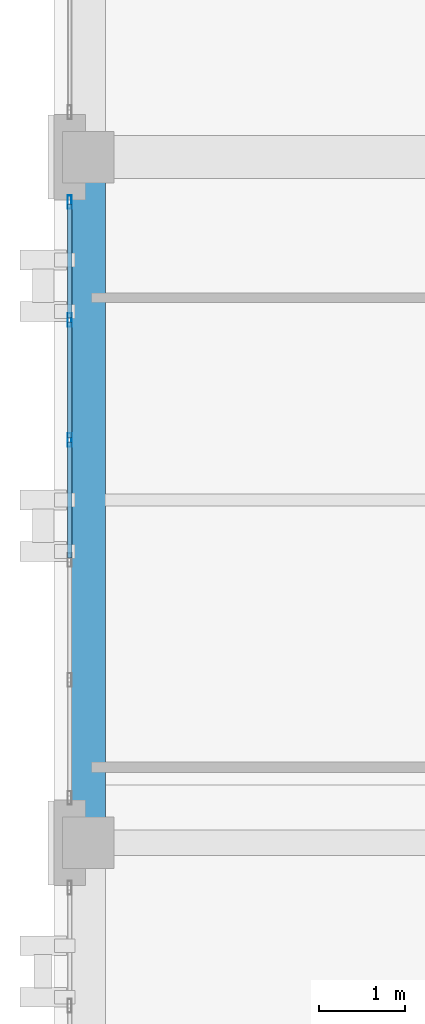
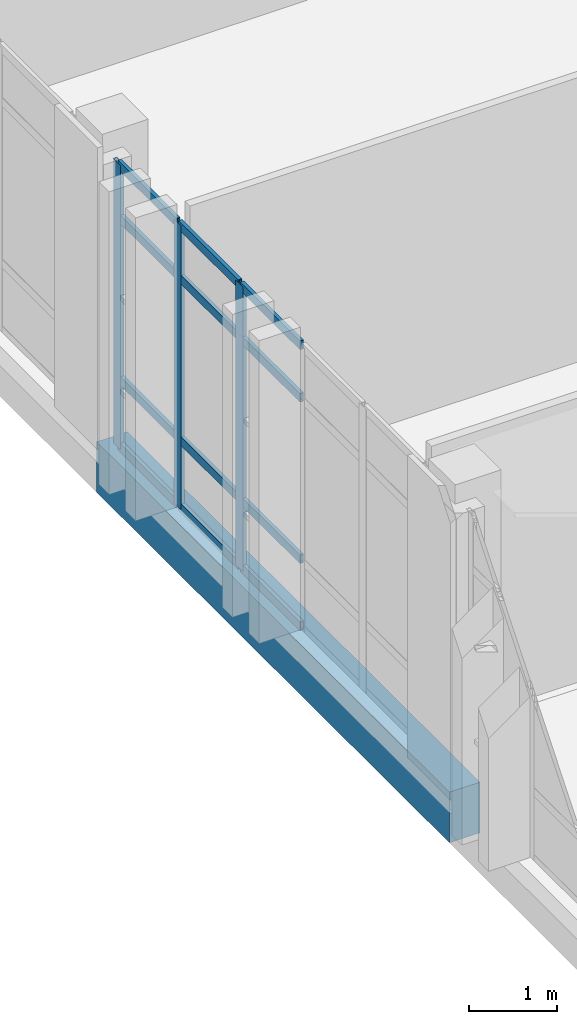
# One storey, part 13 of 77: 15 members, 1 beam, 1 element without a shape of its own.
"""IFC4 building model written with IfcOpenShell, lengths in metres."""

from ifc_helpers import new_model, si_unit, direction, frame, origin, origin_2d, place, context, subcontext, project, spatial, rectangle, hollow_rectangle, extrude, material, layer, layer_set, material_profile, profile_set, type_object, element, aggregate, save


model = new_model("IFC4")

# Units and contexts
model_context = context("Model", 3, precision=1e-05, world=origin(), true_north=direction((0.0, 1.0)))
body_context = subcontext(model_context, "Body", "Model", "MODEL_VIEW")
ifc_project = project(units=[si_unit("LENGTHUNIT", "METRE"), si_unit("AREAUNIT", "SQUARE_METRE"), si_unit("VOLUMEUNIT", "CUBIC_METRE"), si_unit("PLANEANGLEUNIT", "RADIAN"), si_unit("MASSUNIT", "GRAM", prefix="KILO")], contexts=[model_context])

# Site, building, storey
site_placement = place(None, origin())
site = spatial("IfcSite", under=ifc_project, at=site_placement, CompositionType="ELEMENT")
building_placement = place(site_placement, origin())
building = spatial("IfcBuilding", under=site, at=building_placement, Name="Qalavern Law Courts", CompositionType="ELEMENT")
storey_placement = place(building_placement, frame((0.0, 0.0, 27.0)))
storey = spatial("IfcBuildingStorey", under=building, at=storey_placement, Name="L06", CompositionType="ELEMENT", Elevation=27.0)

# Curtain wall, members
ifc_material_1 = material(Name="Anodised aluminium and insulated glazing", Category="aluminium")
ifc_layer = layer(ifc_material_1, 0.159912109375)
ifc_layer_set = layer_set([ifc_layer], Name="Anodised aluminium and insulated glazing")
curtain_wall_type = type_object("IfcCurtainWallType", Name="ENV-CW-CHAMB", PredefinedType="USERDEFINED", material=ifc_layer_set)
curtain_wall_placement = place(storey_placement, origin())
curtain_wall = element("IfcCurtainWall", 1, at=curtain_wall_placement, inside=storey, type_object=curtain_wall_type, Name="V3 unitised curtain wall L06 west 2", ObjectType="UNITISED CURTAIN WALL", PredefinedType="USERDEFINED")
ifc_material_2 = material(Name="Anodised aluminium", Category="aluminium")
ifc_material_profile_1 = material_profile(ifc_material_2, hollow_rectangle(XDim=0.048095703125, YDim=0.159912109375, WallThickness=0.00390625, at=origin_2d()), Name="ALU MULLION 48x160")
ifc_profile_set_1 = profile_set([ifc_material_profile_1], Name="Anodised aluminium")
member_type_1 = type_object("IfcMemberType", Name="ENV-CWM-48x160", PredefinedType="MULLION", material=ifc_profile_set_1)
member_1_placement = place(storey_placement, frame((2.18505859375, 72.8759765625, 0.0), z_axis=(0.0, 0.0, 1.0), x_axis=(1.0, 0.0, 0.0)))
member_1 = element("IfcMember", 2, at=member_1_placement, type_object=member_type_1, Name="CW-04 mullion 1", PredefinedType="MULLION", context=body_context, shape_type="SweptSolid", body=[
    extrude(hollow_rectangle(XDim=0.048095703125, YDim=0.159912109375, WallThickness=0.00390625, at=origin_2d()), origin(), (0.0, 0.0, 1.0), 3.93505859375),
])
member_2_placement = place(storey_placement, frame((2.18505859375, 71.5, 0.0), z_axis=(0.0, 0.0, 1.0), x_axis=(1.0, 0.0, 0.0)))
member_2 = element("IfcMember", 3, at=member_2_placement, type_object=member_type_1, Name="CW-04 mullion 2", PredefinedType="MULLION", context=body_context, shape_type="SweptSolid", body=[
    extrude(hollow_rectangle(XDim=0.048095703125, YDim=0.159912109375, WallThickness=0.00390625, at=origin_2d()), origin(), (0.0, 0.0, 1.0), 3.93505859375),
])
member_3_placement = place(storey_placement, frame((2.18505859375, 70.10009765625, 0.0), z_axis=(0.0, 0.0, 1.0), x_axis=(1.0, 0.0, 0.0)))
member_3 = element("IfcMember", 4, at=member_3_placement, type_object=member_type_1, Name="CW-04 mullion 3", PredefinedType="MULLION", context=body_context, shape_type="SweptSolid", body=[
    extrude(hollow_rectangle(XDim=0.048095703125, YDim=0.159912109375, WallThickness=0.00390625, at=origin_2d()), origin(), (0.0, 0.0, 1.0), 3.93505859375),
])
ifc_material_profile_2 = material_profile(ifc_material_2, hollow_rectangle(XDim=0.048095703125, YDim=0.1201171875, WallThickness=0.00390625, at=origin_2d()), Name="ALU TRANSOM 48x120")
ifc_profile_set_2 = profile_set([ifc_material_profile_2], Name="Anodised aluminium")
member_type_2 = type_object("IfcMemberType", Name="ENV-CWT-48x120", PredefinedType="USERDEFINED", material=ifc_profile_set_2)
member_4_placement = place(storey_placement, frame((2.18505859375, 72.85205078125, 0.02392578125), z_axis=(0.0, -1.0, 0.0), x_axis=(1.0, 0.0, 0.0)))
member_4 = element("IfcMember", 5, at=member_4_placement, type_object=member_type_2, Name="CW-04 transom 1.1", ObjectType="TRANSOM", PredefinedType="USERDEFINED", context=body_context, shape_type="SweptSolid", body=[
    extrude(hollow_rectangle(XDim=0.048095703125, YDim=0.1201171875, WallThickness=0.00390625, at=origin_2d()), origin(), (0.0, 0.0, 1.0), 1.328125),
])
member_5_placement = place(storey_placement, frame((2.18505859375, 72.85205078125, 0.949951171875), z_axis=(0.0, -1.0, 0.0), x_axis=(1.0, 0.0, 0.0)))
member_5 = element("IfcMember", 6, at=member_5_placement, type_object=member_type_2, Name="CW-04 transom 1.2", ObjectType="TRANSOM", PredefinedType="USERDEFINED", context=body_context, shape_type="SweptSolid", body=[
    extrude(hollow_rectangle(XDim=0.048095703125, YDim=0.1201171875, WallThickness=0.00390625, at=origin_2d()), origin(), (0.0, 0.0, 1.0), 1.328125),
])
member_6_placement = place(storey_placement, frame((2.18505859375, 72.85205078125, 3.18505859375), z_axis=(0.0, -1.0, 0.0), x_axis=(1.0, 0.0, 0.0)))
member_6 = element("IfcMember", 7, at=member_6_placement, type_object=member_type_2, Name="CW-04 transom 1.3", ObjectType="TRANSOM", PredefinedType="USERDEFINED", context=body_context, shape_type="SweptSolid", body=[
    extrude(hollow_rectangle(XDim=0.048095703125, YDim=0.1201171875, WallThickness=0.00390625, at=origin_2d()), origin(), (0.0, 0.0, 1.0), 1.328125),
])
member_7_placement = place(storey_placement, frame((2.18505859375, 72.85205078125, 3.910888671875), z_axis=(0.0, -1.0, 0.0), x_axis=(1.0, 0.0, 0.0)))
member_7 = element("IfcMember", 8, at=member_7_placement, type_object=member_type_2, Name="CW-04 transom 1.4", ObjectType="TRANSOM", PredefinedType="USERDEFINED", context=body_context, shape_type="SweptSolid", body=[
    extrude(hollow_rectangle(XDim=0.048095703125, YDim=0.1201171875, WallThickness=0.00390625, at=origin_2d()), origin(), (0.0, 0.0, 1.0), 1.328125),
])
member_8_placement = place(storey_placement, frame((2.18505859375, 71.47607421875, 0.02392578125), z_axis=(0.0, -1.0, 0.0), x_axis=(1.0, 0.0, 0.0)))
member_8 = element("IfcMember", 9, at=member_8_placement, type_object=member_type_2, Name="CW-04 transom 2.1", ObjectType="TRANSOM", PredefinedType="USERDEFINED", context=body_context, shape_type="SweptSolid", body=[
    extrude(hollow_rectangle(XDim=0.048095703125, YDim=0.1201171875, WallThickness=0.00390625, at=origin_2d()), origin(), (0.0, 0.0, 1.0), 1.35205078125),
])
member_9_placement = place(storey_placement, frame((2.18505859375, 71.47607421875, 0.949951171875), z_axis=(0.0, -1.0, 0.0), x_axis=(1.0, 0.0, 0.0)))
member_9 = element("IfcMember", 10, at=member_9_placement, type_object=member_type_2, Name="CW-04 transom 2.2", ObjectType="TRANSOM", PredefinedType="USERDEFINED", context=body_context, shape_type="SweptSolid", body=[
    extrude(hollow_rectangle(XDim=0.048095703125, YDim=0.1201171875, WallThickness=0.00390625, at=origin_2d()), origin(), (0.0, 0.0, 1.0), 1.35205078125),
])
member_10_placement = place(storey_placement, frame((2.18505859375, 71.47607421875, 3.18505859375), z_axis=(0.0, -1.0, 0.0), x_axis=(1.0, 0.0, 0.0)))
member_10 = element("IfcMember", 11, at=member_10_placement, type_object=member_type_2, Name="CW-04 transom 2.3", ObjectType="TRANSOM", PredefinedType="USERDEFINED", context=body_context, shape_type="SweptSolid", body=[
    extrude(hollow_rectangle(XDim=0.048095703125, YDim=0.1201171875, WallThickness=0.00390625, at=origin_2d()), origin(), (0.0, 0.0, 1.0), 1.35205078125),
])
member_11_placement = place(storey_placement, frame((2.18505859375, 71.47607421875, 3.910888671875), z_axis=(0.0, -1.0, 0.0), x_axis=(1.0, 0.0, 0.0)))
member_11 = element("IfcMember", 12, at=member_11_placement, type_object=member_type_2, Name="CW-04 transom 2.4", ObjectType="TRANSOM", PredefinedType="USERDEFINED", context=body_context, shape_type="SweptSolid", body=[
    extrude(hollow_rectangle(XDim=0.048095703125, YDim=0.1201171875, WallThickness=0.00390625, at=origin_2d()), origin(), (0.0, 0.0, 1.0), 1.35205078125),
])
member_12_placement = place(storey_placement, frame((2.18505859375, 70.075927734375, 0.02392578125), z_axis=(0.0, -1.0, 0.0), x_axis=(1.0, 0.0, 0.0)))
member_12 = element("IfcMember", 13, at=member_12_placement, type_object=member_type_2, Name="CW-04 transom 3.1", ObjectType="TRANSOM", PredefinedType="USERDEFINED", context=body_context, shape_type="SweptSolid", body=[
    extrude(hollow_rectangle(XDim=0.048095703125, YDim=0.1201171875, WallThickness=0.00390625, at=origin_2d()), origin(), (0.0, 0.0, 1.0), 1.351806640625),
])
member_13_placement = place(storey_placement, frame((2.18505859375, 70.075927734375, 0.949951171875), z_axis=(0.0, -1.0, 0.0), x_axis=(1.0, 0.0, 0.0)))
member_13 = element("IfcMember", 14, at=member_13_placement, type_object=member_type_2, Name="CW-04 transom 3.2", ObjectType="TRANSOM", PredefinedType="USERDEFINED", context=body_context, shape_type="SweptSolid", body=[
    extrude(hollow_rectangle(XDim=0.048095703125, YDim=0.1201171875, WallThickness=0.00390625, at=origin_2d()), origin(), (0.0, 0.0, 1.0), 1.351806640625),
])
member_14_placement = place(storey_placement, frame((2.18505859375, 70.075927734375, 3.18505859375), z_axis=(0.0, -1.0, 0.0), x_axis=(1.0, 0.0, 0.0)))
member_14 = element("IfcMember", 15, at=member_14_placement, type_object=member_type_2, Name="CW-04 transom 3.3", ObjectType="TRANSOM", PredefinedType="USERDEFINED", context=body_context, shape_type="SweptSolid", body=[
    extrude(hollow_rectangle(XDim=0.048095703125, YDim=0.1201171875, WallThickness=0.00390625, at=origin_2d()), origin(), (0.0, 0.0, 1.0), 1.351806640625),
])
member_15_placement = place(storey_placement, frame((2.18505859375, 70.075927734375, 3.910888671875), z_axis=(0.0, -1.0, 0.0), x_axis=(1.0, 0.0, 0.0)))
member_15 = element("IfcMember", 16, at=member_15_placement, type_object=member_type_2, Name="CW-04 transom 3.4", ObjectType="TRANSOM", PredefinedType="USERDEFINED", context=body_context, shape_type="SweptSolid", body=[
    extrude(hollow_rectangle(XDim=0.048095703125, YDim=0.1201171875, WallThickness=0.00390625, at=origin_2d()), origin(), (0.0, 0.0, 1.0), 1.351806640625),
])
aggregate(curtain_wall, [member_1, member_2, member_3, member_4, member_5, member_6, member_7, member_8, member_9, member_10, member_11, member_12, member_13, member_14, member_15])

# Beam
ifc_material_3 = material(Name="Concrete C40/50", Category="concrete")
ifc_material_profile_3 = material_profile(ifc_material_3, rectangle(XDim=0.39990234375, YDim=0.699951171875, at=origin_2d()), Name="RC 400x700")
ifc_profile_set_3 = profile_set([ifc_material_profile_3], Name="Concrete C40/50")
beam_type = type_object("IfcBeamType", Name="STR-SP-RC400x700", PredefinedType="SPANDREL", material=ifc_profile_set_3)
beam_placement = place(storey_placement, frame((2.39990234375, 65.39990234375, -0.6201171875), z_axis=(0.0, 1.0, 0.0), x_axis=(-1.0, 0.0, 0.0)))
element("IfcBeam", 17, at=beam_placement, inside=storey, type_object=beam_type, Name="V3 Y-beam 1-4 L06", PredefinedType="SPANDREL", context=body_context, shape_type="SweptSolid", body=[
    extrude(rectangle(XDim=0.39990234375, YDim=0.699951171875, at=origin_2d()), origin(), (0.0, 0.0, 1.0), 8.0),
])

save(model, "model.ifc")
